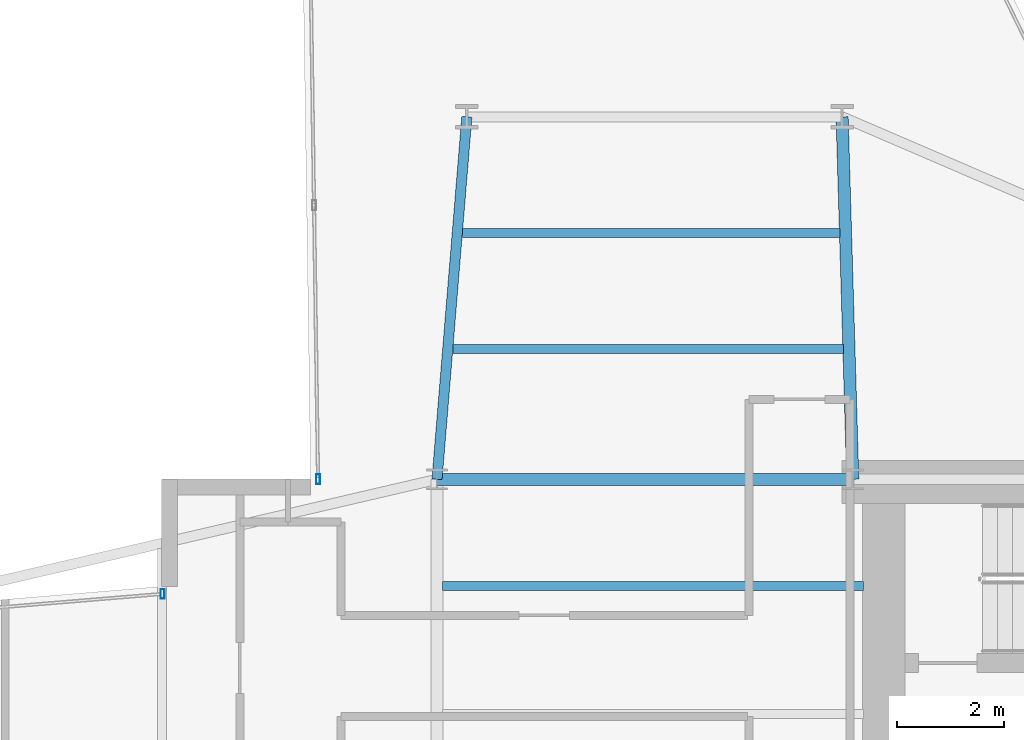
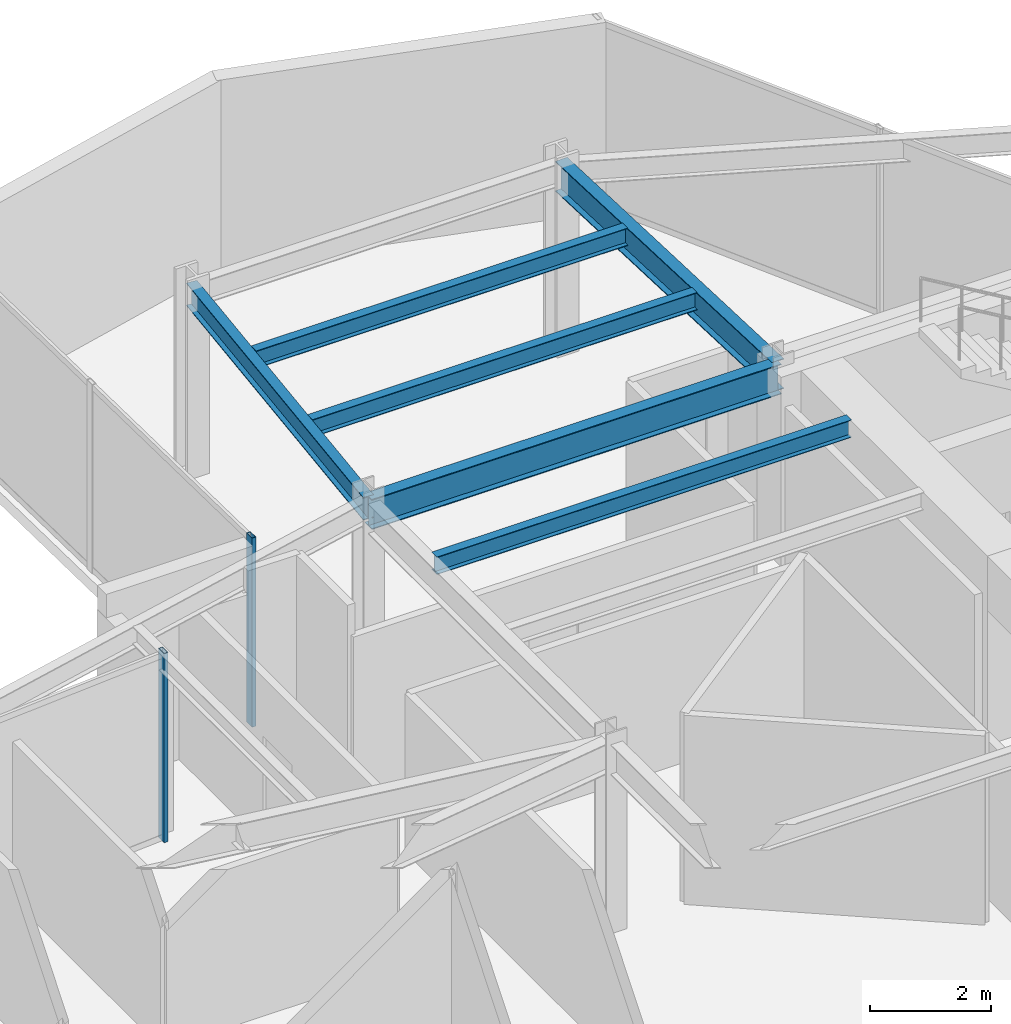
# One storey, part 10 of 25: 6 beams, 2 members, 2 elements without a shape of their own.
"""IFC4 building model written with IfcOpenShell, lengths in metres."""

from ifc_helpers import new_model, si_unit, direction, frame, origin, origin_2d, place, context, subcontext, project, spatial, hollow_rectangle, i_section, extrude, material, layer, layer_set, material_profile, profile_set, type_object, element, aggregate, save


model = new_model("IFC4")

# Units and contexts
model_context = context("Model", 3, precision=1e-05, world=origin(), true_north=direction((0.0, 1.0)))
body_context = subcontext(model_context, "Body", "Model", "MODEL_VIEW")
ifc_project = project(units=[si_unit("LENGTHUNIT", "METRE"), si_unit("AREAUNIT", "SQUARE_METRE"), si_unit("VOLUMEUNIT", "CUBIC_METRE"), si_unit("PLANEANGLEUNIT", "RADIAN"), si_unit("MASSUNIT", "GRAM", prefix="KILO")], contexts=[model_context])

# Site, building, storey
site_placement = place(None, origin())
site = spatial("IfcSite", under=ifc_project, at=site_placement, CompositionType="ELEMENT")
building_placement = place(site_placement, origin())
building = spatial("IfcBuilding", under=site, at=building_placement, Name="Veymaron Broadcast Tower", CompositionType="ELEMENT")
storey_placement = place(building_placement, frame((0.0, 0.0, 120.89990234375)))
storey = spatial("IfcBuildingStorey", under=building, at=storey_placement, Name="L27", CompositionType="ELEMENT", Elevation=120.89990234375)

# Beams
ifc_material_1 = material(Name="Structural steel ASTM A992 Gr 50", Category="steel")
ifc_material_profile_1 = material_profile(ifc_material_1, i_section(OverallWidth=0.22802734375, OverallDepth=0.60791015625, WebThickness=0.01123046875, FlangeThickness=0.017333984375, at=origin_2d()), Name="W610X113")
ifc_profile_set_1 = profile_set([ifc_material_profile_1], Name="Structural steel ASTM A992 Gr 50")
beam_type_1 = type_object("IfcBeamType", Name="BM-FG2", PredefinedType="BEAM", material=ifc_profile_set_1)
beam_1_placement = place(storey_placement, frame((31.199951171875, 32.0, 3.506103515625), z_axis=(1.0, 0.0, 0.0), x_axis=(0.0, 1.0, 0.0)))
element("IfcBeam", 1, at=beam_1_placement, inside=storey, type_object=beam_type_1, Name="L27 primary structural floor girder", PredefinedType="BEAM", context=body_context, shape_type="SweptSolid", body=[
    extrude(i_section(OverallWidth=0.22802734375, OverallDepth=0.60791015625, WebThickness=0.01123046875, FlangeThickness=0.017333984375, at=origin_2d()), origin(), (0.0, 0.0, 1.0), 7.800048828125),
])
beam_2_placement = place(storey_placement, frame((39.0, 32.0, 3.506103515625), z_axis=(-0.029391669433, 0.99956797156, 0.0), x_axis=(-0.99956797156, -0.029391669433, 0.0)))
element("IfcBeam", 2, at=beam_2_placement, inside=storey, type_object=beam_type_1, Name="L27 primary structural floor girder", PredefinedType="BEAM", context=body_context, shape_type="SweptSolid", body=[
    extrude(i_section(OverallWidth=0.22802734375, OverallDepth=0.60791015625, WebThickness=0.01123046875, FlangeThickness=0.017333984375, at=origin_2d()), origin(), (0.0, 0.0, 1.0), 6.802978515625),
])
ifc_material_profile_2 = material_profile(ifc_material_1, i_section(OverallWidth=0.1708984375, OverallDepth=0.35498046875, WebThickness=0.007080078125, FlangeThickness=0.01171875, at=origin_2d()), Name="W360X51")
ifc_profile_set_2 = profile_set([ifc_material_profile_2], Name="Structural steel ASTM A992 Gr 50")
beam_type_2 = type_object("IfcBeamType", Name="BM-JS2", PredefinedType="JOIST", material=ifc_profile_set_2)
beam_3_placement = place(storey_placement, frame((31.501708984375, 34.447998046875, 3.632568359375), z_axis=(1.0, 0.0, 0.0), x_axis=(0.0, 1.0, 0.0)))
element("IfcBeam", 3, at=beam_3_placement, inside=storey, type_object=beam_type_2, Name="L27 Arm-B secondary joist 1", PredefinedType="JOIST", context=body_context, shape_type="SweptSolid", body=[
    extrude(i_section(OverallWidth=0.1708984375, OverallDepth=0.35498046875, WebThickness=0.007080078125, FlangeThickness=0.01171875, at=origin_2d()), origin(), (0.0, 0.0, 1.0), 7.326171875),
])
beam_4_placement = place(storey_placement, frame((31.680908203125, 36.6240234375, 3.632568359375), z_axis=(1.0, 0.0, 0.0), x_axis=(0.0, 1.0, 0.0)))
element("IfcBeam", 4, at=beam_4_placement, inside=storey, type_object=beam_type_2, Name="L27 Arm-B secondary joist 2", PredefinedType="JOIST", context=body_context, shape_type="SweptSolid", body=[
    extrude(i_section(OverallWidth=0.1708984375, OverallDepth=0.35498046875, WebThickness=0.007080078125, FlangeThickness=0.01171875, at=origin_2d()), origin(), (0.0, 0.0, 1.0), 7.0830078125),
])
beam_5_placement = place(storey_placement, frame((31.300048828125, 30.0, 3.632568359375), z_axis=(1.0, 0.0, 0.0), x_axis=(0.0, 1.0, 0.0)))
element("IfcBeam", 5, at=beam_5_placement, inside=storey, type_object=beam_type_2, Name="L27 Hub secondary joist 4", PredefinedType="JOIST", context=body_context, shape_type="SweptSolid", body=[
    extrude(i_section(OverallWidth=0.1708984375, OverallDepth=0.35498046875, WebThickness=0.007080078125, FlangeThickness=0.01171875, at=origin_2d()), origin(), (0.0, 0.0, 1.0), 7.89990234375),
])
ifc_material_profile_3 = material_profile(ifc_material_1, i_section(OverallWidth=0.19091796875, OverallDepth=0.4599609375, WebThickness=0.010009765625, FlangeThickness=0.01611328125, at=origin_2d()), Name="W460X82")
ifc_profile_set_3 = profile_set([ifc_material_profile_3], Name="Structural steel ASTM A992 Gr 50")
beam_type_3 = type_object("IfcBeamType", Name="BM-SP1", PredefinedType="SPANDREL", material=ifc_profile_set_3)
beam_6_placement = place(storey_placement, frame((31.199951171875, 32.0, 3.580078125), z_axis=(0.082083038904, 0.996625493716, 0.0), x_axis=(-0.996625493716, 0.082083038904, 0.0)))
element("IfcBeam", 6, at=beam_6_placement, inside=storey, type_object=beam_type_3, Name="L27 primary structural floor girder", PredefinedType="SPANDREL", context=body_context, shape_type="SweptSolid", body=[
    extrude(i_section(OverallWidth=0.19091796875, OverallDepth=0.4599609375, WebThickness=0.010009765625, FlangeThickness=0.01611328125, at=origin_2d()), origin(), (0.0, 0.0, 1.0), 6.822998046875),
])

# Curtain wall, member
ifc_material_2 = material(Name="Anodised aluminium AA 6063-T6 and laminated low-E dark glass", Category="aluminium")
ifc_layer = layer(ifc_material_2, 0.179931640625)
ifc_layer_set = layer_set([ifc_layer], Name="Anodised aluminium AA 6063-T6 and laminated low-E dark glass")
curtain_wall_type = type_object("IfcCurtainWallType", Name="CW-SYS-03", PredefinedType="NOTDEFINED", material=ifc_layer_set)
curtain_wall_1_placement = place(storey_placement, origin())
curtain_wall_1 = element("IfcCurtainWall", 7, at=curtain_wall_1_placement, inside=storey, type_object=curtain_wall_type, Name="L27 dark-glass curtain wall CW-L27-E8-1", PredefinedType="NOTDEFINED")
ifc_material_3 = material(Name="Anodised aluminium AA 6063-T6", Category="aluminium")
ifc_material_profile_4 = material_profile(ifc_material_3, hollow_rectangle(XDim=0.074951171875, YDim=0.179931640625, WallThickness=0.0048828125, at=origin_2d()), Name="AL180X75X5")
ifc_profile_set_4 = profile_set([ifc_material_profile_4], Name="Anodised aluminium AA 6063-T6")
member_type = type_object("IfcMemberType", Name="CW-MUL-02", PredefinedType="MULLION", material=ifc_profile_set_4)
member_1_placement = place(storey_placement, frame((28.96826171875, 32.001953125, 0.0), z_axis=(0.0, 0.0, 1.0), x_axis=(1.0, 0.0, 0.0)))
member_1 = element("IfcMember", 8, at=member_1_placement, type_object=member_type, Name="CW-L27-E8-1 mullion 2", PredefinedType="MULLION", context=body_context, shape_type="SweptSolid", body=[
    extrude(hollow_rectangle(XDim=0.074951171875, YDim=0.179931640625, WallThickness=0.0048828125, at=origin_2d()), origin(), (0.0, 0.0, 1.0), 3.81005859375),
])
aggregate(curtain_wall_1, [member_1])

curtain_wall_2_placement = place(storey_placement, origin())
curtain_wall_2 = element("IfcCurtainWall", 9, at=curtain_wall_2_placement, inside=storey, type_object=curtain_wall_type, Name="L27 dark-glass curtain wall CW-L27-E11-1", PredefinedType="NOTDEFINED")
member_2_placement = place(storey_placement, frame((26.051513671875, 29.850830078125, 0.0), z_axis=(0.0, 0.0, 1.0), x_axis=(1.0, 0.0, 0.0)))
member_2 = element("IfcMember", 10, at=member_2_placement, type_object=member_type, Name="CW-L27-E11-1 mullion 0", PredefinedType="MULLION", context=body_context, shape_type="SweptSolid", body=[
    extrude(hollow_rectangle(XDim=0.074951171875, YDim=0.179931640625, WallThickness=0.0048828125, at=origin_2d()), origin(), (0.0, 0.0, 1.0), 3.81005859375),
])
aggregate(curtain_wall_2, [member_2])

save(model, "model.ifc")
